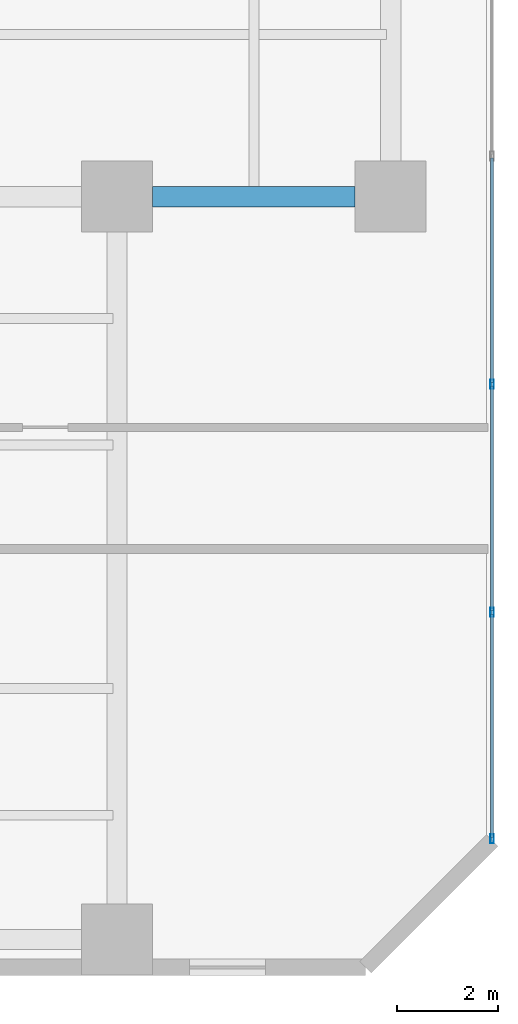
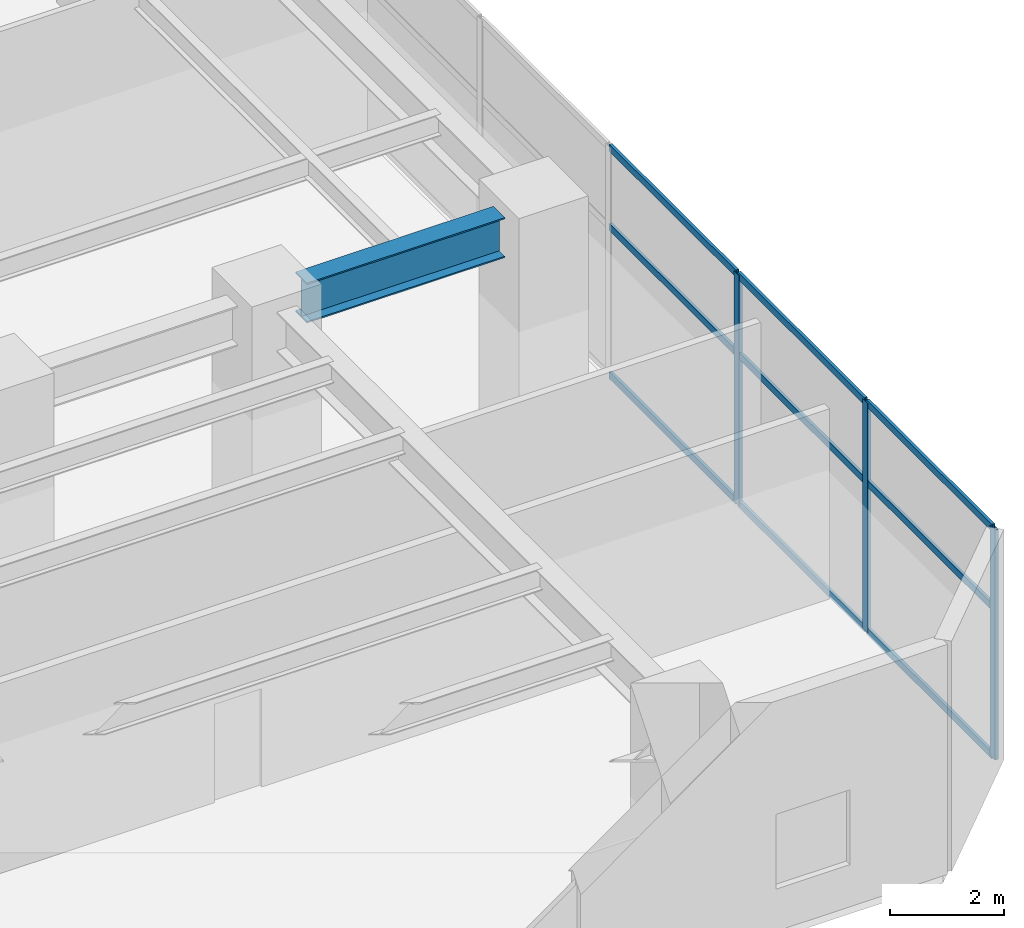
# One storey, part 2 of 22: 12 members, 1 beam, 1 element without a shape of its own.
"""IFC4 building model written with IfcOpenShell, lengths in metres."""

from ifc_helpers import new_model, si_unit, direction, frame, origin, origin_2d, place, context, subcontext, project, spatial, hollow_rectangle, i_section, extrude, material, layer, layer_set, material_profile, profile_set, type_object, element, aggregate, save


model = new_model("IFC4")

# Units and contexts
model_context = context("Model", 3, precision=1e-05, world=origin(), true_north=direction((0.0, 1.0)))
body_context = subcontext(model_context, "Body", "Model", "MODEL_VIEW")
ifc_project = project(units=[si_unit("LENGTHUNIT", "METRE"), si_unit("AREAUNIT", "SQUARE_METRE"), si_unit("VOLUMEUNIT", "CUBIC_METRE"), si_unit("PLANEANGLEUNIT", "RADIAN"), si_unit("MASSUNIT", "GRAM", prefix="KILO")], contexts=[model_context])

# Site, building, storey
site_placement = place(None, origin())
site = spatial("IfcSite", under=ifc_project, at=site_placement, CompositionType="ELEMENT")
building_placement = place(site_placement, origin())
building = spatial("IfcBuilding", under=site, at=building_placement, Name="Mawjaban Terraces University", CompositionType="ELEMENT")
storey_placement = place(building_placement, frame((0.0, 0.0, 5.199951171875)))
storey = spatial("IfcBuildingStorey", under=building, at=storey_placement, Name="L01", CompositionType="ELEMENT", Elevation=5.199951171875)

# Beam
ifc_material_1 = material(Name="Steel ASTM A572 Grade 50", Category="steel")
ifc_material_profile_1 = material_profile(ifc_material_1, i_section(OverallWidth=0.39990234375, OverallDepth=0.85498046875, WebThickness=0.018310546875, FlangeThickness=0.029296875, at=origin_2d()), Name="W840X299")
ifc_profile_set_1 = profile_set([ifc_material_profile_1], Name="Steel ASTM A572 Grade 50")
beam_type = type_object("IfcBeamType", Name="Beam_B_W840X299", PredefinedType="BEAM", material=ifc_profile_set_1)
beam_placement = place(storey_placement, frame((69.300048828125, 15.199951171875, 4.491943359375), z_axis=(1.0, 0.0, 0.0), x_axis=(0.0, 1.0, 0.0)))
element("IfcBeam", 1, at=beam_placement, inside=storey, type_object=beam_type, Name="L01 Beam BM-L01-EW-11", PredefinedType="BEAM", context=body_context, shape_type="SweptSolid", body=[
    extrude(i_section(OverallWidth=0.39990234375, OverallDepth=0.85498046875, WebThickness=0.018310546875, FlangeThickness=0.029296875, at=origin_2d()), origin(), (0.0, 0.0, 1.0), 4.0),
])

# Curtain wall, members
ifc_material_2 = material(Name="Anodised aluminium 6063-T6 and solar-control low-E glass", Category="aluminium")
ifc_layer = layer(ifc_material_2, 0.179931640625)
ifc_layer_set = layer_set([ifc_layer], Name="Anodised aluminium 6063-T6 and solar-control low-E glass")
curtain_wall_type = type_object("IfcCurtainWallType", Name="CWSystem_01_PlazaFoyer", PredefinedType="NOTDEFINED", material=ifc_layer_set)
curtain_wall_placement = place(storey_placement, origin())
curtain_wall = element("IfcCurtainWall", 2, at=curtain_wall_placement, inside=storey, type_object=curtain_wall_type, Name="L01 Curtain Wall CW-01 Run 3.1", PredefinedType="NOTDEFINED")
ifc_material_3 = material(Name="Anodised aluminium 6063-T6", Category="aluminium")
ifc_material_profile_2 = material_profile(ifc_material_3, hollow_rectangle(XDim=0.06494140625, YDim=0.179931640625, WallThickness=0.00390625, at=origin_2d()), Name="ALU180X65X4")
ifc_profile_set_2 = profile_set([ifc_material_profile_2], Name="Anodised aluminium 6063-T6")
member_type_1 = type_object("IfcMemberType", Name="Mullion_CW-01", PredefinedType="MULLION", material=ifc_profile_set_2)
member_1_placement = place(storey_placement, frame((76.0, 2.532470703125, 0.0), z_axis=(0.0, 0.0, 1.0), x_axis=(-1.0, 0.0, 0.0)))
member_1 = element("IfcMember", 3, at=member_1_placement, type_object=member_type_1, Name="CW-01 mullion 1", PredefinedType="MULLION", context=body_context, shape_type="SweptSolid", body=[
    extrude(hollow_rectangle(XDim=0.06494140625, YDim=0.179931640625, WallThickness=0.00390625, at=origin_2d()), origin(), (0.0, 0.0, 1.0), 4.920166015625),
])
member_2_placement = place(storey_placement, frame((76.0, 7.0, 0.0), z_axis=(0.0, 0.0, 1.0), x_axis=(-1.0, 0.0, 0.0)))
member_2 = element("IfcMember", 4, at=member_2_placement, type_object=member_type_1, Name="CW-01 mullion 2", PredefinedType="MULLION", context=body_context, shape_type="SweptSolid", body=[
    extrude(hollow_rectangle(XDim=0.06494140625, YDim=0.179931640625, WallThickness=0.00390625, at=origin_2d()), origin(), (0.0, 0.0, 1.0), 4.920166015625),
])
member_3_placement = place(storey_placement, frame((76.0, 11.5, 0.0), z_axis=(0.0, 0.0, 1.0), x_axis=(-1.0, 0.0, 0.0)))
member_3 = element("IfcMember", 5, at=member_3_placement, type_object=member_type_1, Name="CW-01 mullion 3", PredefinedType="MULLION", context=body_context, shape_type="SweptSolid", body=[
    extrude(hollow_rectangle(XDim=0.06494140625, YDim=0.179931640625, WallThickness=0.00390625, at=origin_2d()), origin(), (0.0, 0.0, 1.0), 4.920166015625),
])
ifc_material_profile_3 = material_profile(ifc_material_3, hollow_rectangle(XDim=0.06005859375, YDim=0.14990234375, WallThickness=0.00390625, at=origin_2d()), Name="ALU150X60X4")
ifc_profile_set_3 = profile_set([ifc_material_profile_3], Name="Anodised aluminium 6063-T6")
member_type_2 = type_object("IfcMemberType", Name="Transom_CW-01", PredefinedType="NOTDEFINED", material=ifc_profile_set_3)
member_4_placement = place(storey_placement, frame((76.0, 2.56494140625, 0.030029296875), z_axis=(0.0, 1.0, 0.0), x_axis=(-1.0, 0.0, 0.0)))
member_4 = element("IfcMember", 6, at=member_4_placement, type_object=member_type_2, Name="CW-01 transom 1.1", ObjectType="TRANSOM", PredefinedType="USERDEFINED", context=body_context, shape_type="SweptSolid", body=[
    extrude(hollow_rectangle(XDim=0.06005859375, YDim=0.14990234375, WallThickness=0.00390625, at=origin_2d()), origin(), (0.0, 0.0, 1.0), 4.402587890625),
])
member_5_placement = place(storey_placement, frame((76.0, 2.56494140625, 3.197998046875), z_axis=(0.0, 1.0, 0.0), x_axis=(-1.0, 0.0, 0.0)))
member_5 = element("IfcMember", 7, at=member_5_placement, type_object=member_type_2, Name="CW-01 transom 1.2", ObjectType="TRANSOM", PredefinedType="USERDEFINED", context=body_context, shape_type="SweptSolid", body=[
    extrude(hollow_rectangle(XDim=0.06005859375, YDim=0.14990234375, WallThickness=0.00390625, at=origin_2d()), origin(), (0.0, 0.0, 1.0), 4.402587890625),
])
member_6_placement = place(storey_placement, frame((76.0, 2.56494140625, 4.89013671875), z_axis=(0.0, 1.0, 0.0), x_axis=(-1.0, 0.0, 0.0)))
member_6 = element("IfcMember", 8, at=member_6_placement, type_object=member_type_2, Name="CW-01 transom 1.3", ObjectType="TRANSOM", PredefinedType="USERDEFINED", context=body_context, shape_type="SweptSolid", body=[
    extrude(hollow_rectangle(XDim=0.06005859375, YDim=0.14990234375, WallThickness=0.00390625, at=origin_2d()), origin(), (0.0, 0.0, 1.0), 4.402587890625),
])
member_7_placement = place(storey_placement, frame((76.0, 7.032470703125, 0.030029296875), z_axis=(0.0, 1.0, 0.0), x_axis=(-1.0, 0.0, 0.0)))
member_7 = element("IfcMember", 9, at=member_7_placement, type_object=member_type_2, Name="CW-01 transom 2.1", ObjectType="TRANSOM", PredefinedType="USERDEFINED", context=body_context, shape_type="SweptSolid", body=[
    extrude(hollow_rectangle(XDim=0.06005859375, YDim=0.14990234375, WallThickness=0.00390625, at=origin_2d()), origin(), (0.0, 0.0, 1.0), 4.43505859375),
])
member_8_placement = place(storey_placement, frame((76.0, 7.032470703125, 3.197998046875), z_axis=(0.0, 1.0, 0.0), x_axis=(-1.0, 0.0, 0.0)))
member_8 = element("IfcMember", 10, at=member_8_placement, type_object=member_type_2, Name="CW-01 transom 2.2", ObjectType="TRANSOM", PredefinedType="USERDEFINED", context=body_context, shape_type="SweptSolid", body=[
    extrude(hollow_rectangle(XDim=0.06005859375, YDim=0.14990234375, WallThickness=0.00390625, at=origin_2d()), origin(), (0.0, 0.0, 1.0), 4.43505859375),
])
member_9_placement = place(storey_placement, frame((76.0, 7.032470703125, 4.89013671875), z_axis=(0.0, 1.0, 0.0), x_axis=(-1.0, 0.0, 0.0)))
member_9 = element("IfcMember", 11, at=member_9_placement, type_object=member_type_2, Name="CW-01 transom 2.3", ObjectType="TRANSOM", PredefinedType="USERDEFINED", context=body_context, shape_type="SweptSolid", body=[
    extrude(hollow_rectangle(XDim=0.06005859375, YDim=0.14990234375, WallThickness=0.00390625, at=origin_2d()), origin(), (0.0, 0.0, 1.0), 4.43505859375),
])
member_10_placement = place(storey_placement, frame((76.0, 11.532470703125, 0.030029296875), z_axis=(0.0, 1.0, 0.0), x_axis=(-1.0, 0.0, 0.0)))
member_10 = element("IfcMember", 12, at=member_10_placement, type_object=member_type_2, Name="CW-01 transom 3.1", ObjectType="TRANSOM", PredefinedType="USERDEFINED", context=body_context, shape_type="SweptSolid", body=[
    extrude(hollow_rectangle(XDim=0.06005859375, YDim=0.14990234375, WallThickness=0.00390625, at=origin_2d()), origin(), (0.0, 0.0, 1.0), 4.43505859375),
])
member_11_placement = place(storey_placement, frame((76.0, 11.532470703125, 3.197998046875), z_axis=(0.0, 1.0, 0.0), x_axis=(-1.0, 0.0, 0.0)))
member_11 = element("IfcMember", 13, at=member_11_placement, type_object=member_type_2, Name="CW-01 transom 3.2", ObjectType="TRANSOM", PredefinedType="USERDEFINED", context=body_context, shape_type="SweptSolid", body=[
    extrude(hollow_rectangle(XDim=0.06005859375, YDim=0.14990234375, WallThickness=0.00390625, at=origin_2d()), origin(), (0.0, 0.0, 1.0), 4.43505859375),
])
member_12_placement = place(storey_placement, frame((76.0, 11.532470703125, 4.89013671875), z_axis=(0.0, 1.0, 0.0), x_axis=(-1.0, 0.0, 0.0)))
member_12 = element("IfcMember", 14, at=member_12_placement, type_object=member_type_2, Name="CW-01 transom 3.3", ObjectType="TRANSOM", PredefinedType="USERDEFINED", context=body_context, shape_type="SweptSolid", body=[
    extrude(hollow_rectangle(XDim=0.06005859375, YDim=0.14990234375, WallThickness=0.00390625, at=origin_2d()), origin(), (0.0, 0.0, 1.0), 4.43505859375),
])
aggregate(curtain_wall, [member_1, member_2, member_3, member_4, member_5, member_6, member_7, member_8, member_9, member_10, member_11, member_12])

save(model, "model.ifc")
